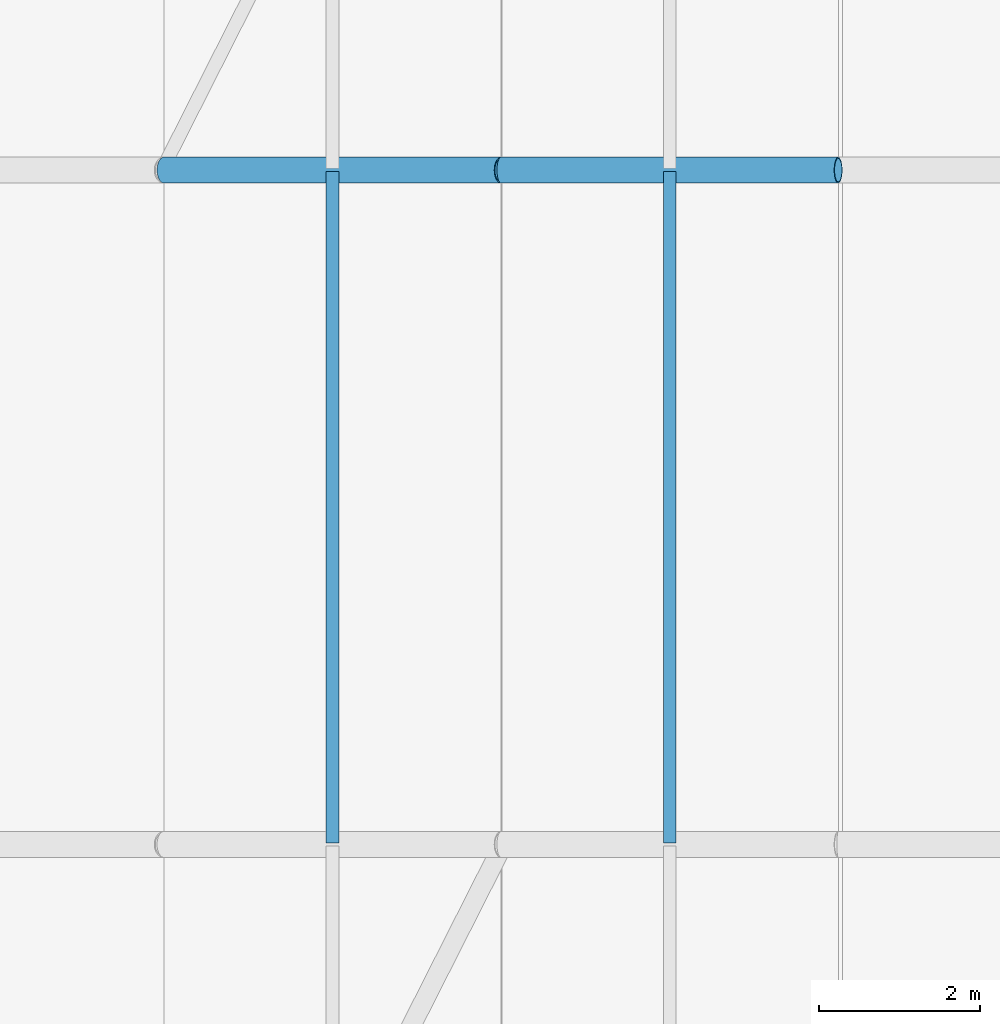
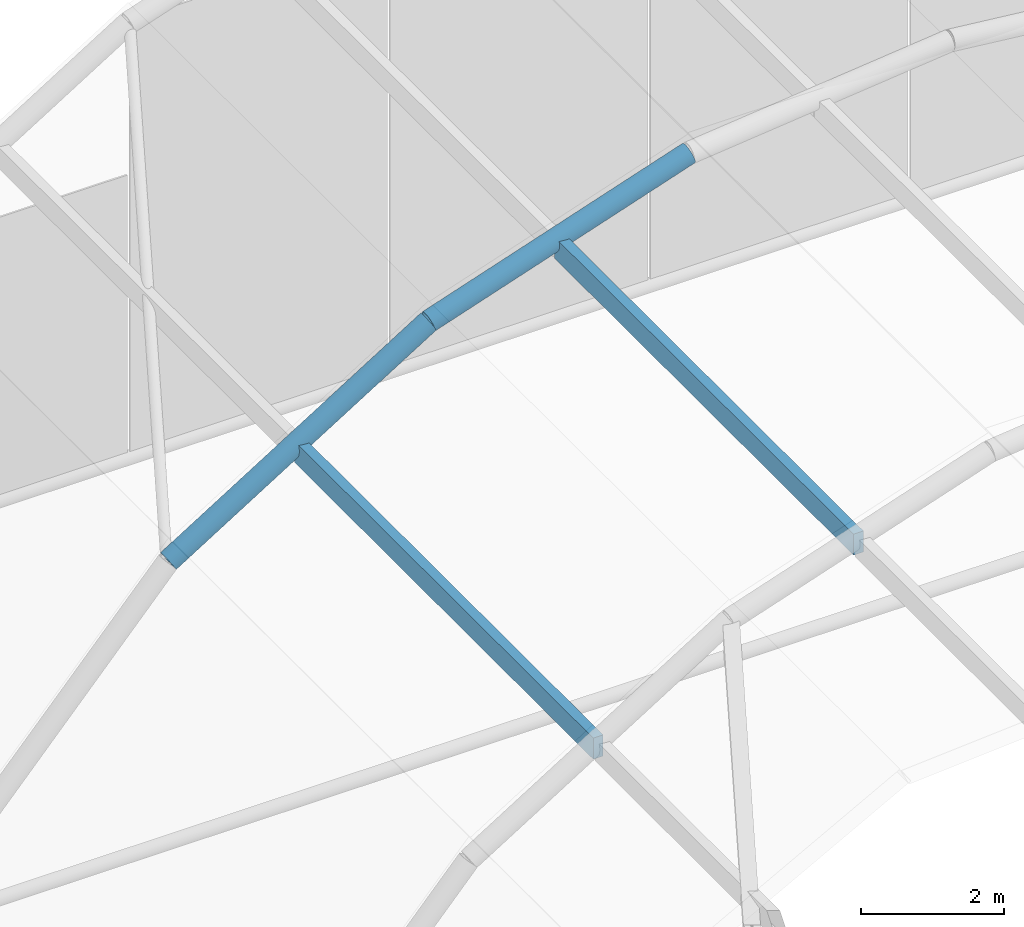
# One storey, part 64 of 114: 2 beams, 2 members.
"""IFC4 building model written with IfcOpenShell, lengths in metres."""

from ifc_helpers import new_model, si_unit, direction, frame, origin, origin_2d, place, context, subcontext, project, spatial, rectangle, hollow_circle, extrude, material, material_profile, profile_set, type_object, element, save


model = new_model("IFC4")

# Units and contexts
model_context = context("Model", 3, precision=1e-05, world=origin(), true_north=direction((0.0, 1.0)))
body_context = subcontext(model_context, "Body", "Model", "MODEL_VIEW")
ifc_project = project(units=[si_unit("LENGTHUNIT", "METRE"), si_unit("AREAUNIT", "SQUARE_METRE"), si_unit("VOLUMEUNIT", "CUBIC_METRE"), si_unit("PLANEANGLEUNIT", "RADIAN"), si_unit("MASSUNIT", "GRAM", prefix="KILO")], contexts=[model_context])

# Site, building, storey
site_placement = place(None, origin())
site = spatial("IfcSite", under=ifc_project, at=site_placement, CompositionType="ELEMENT")
building_placement = place(site_placement, origin())
building = spatial("IfcBuilding", under=site, at=building_placement, Name="Xazarin Passage Department Store", CompositionType="ELEMENT")
storey_placement = place(building_placement, frame((0.0, 0.0, 14.39990234375)))
storey = spatial("IfcBuildingStorey", under=building, at=storey_placement, Name="L03", CompositionType="ELEMENT", Elevation=14.39990234375)

# Beams
ifc_material_1 = material(Name="Steel S355", Category="steel")
ifc_material_profile_1 = material_profile(ifc_material_1, hollow_circle(Radius=0.161865234375, WallThickness=0.01611328125, at=origin_2d()), Name="CHS 323.9x16")
ifc_profile_set_1 = profile_set([ifc_material_profile_1], Name="Steel S355")
beam_type = type_object("IfcBeamType", Name="STR-BM-AR324", PredefinedType="BEAM", material=ifc_profile_set_1)
beam_1_placement = place(storey_placement, frame((72.199951171875, 84.800048828125, 6.33203125), z_axis=(0.848571440894, 0.0, 0.529080815848), x_axis=(0.0, 1.0, 0.0)))
element("IfcBeam", 1, at=beam_1_placement, inside=storey, type_object=beam_type, Name="V2N Primary Arch Rib 5.2", PredefinedType="BEAM", context=body_context, shape_type="SweptSolid", body=[
    extrude(hollow_circle(Radius=0.161865234375, WallThickness=0.01611328125, at=origin_2d()), origin(), (0.0, 0.0, 1.0), 4.949462890625),
])
beam_2_placement = place(storey_placement, frame((76.39990234375, 84.800048828125, 8.95068359375), z_axis=(0.948462545979, 0.0, 0.31688925333), x_axis=(0.0, 1.0, 0.0)))
element("IfcBeam", 2, at=beam_2_placement, inside=storey, type_object=beam_type, Name="V2N Primary Arch Rib 5.3", PredefinedType="BEAM", context=body_context, shape_type="SweptSolid", body=[
    extrude(hollow_circle(Radius=0.161865234375, WallThickness=0.01611328125, at=origin_2d()), origin(), (0.0, 0.0, 1.0), 4.428466796875),
])

# Members
ifc_material_2 = material(Name="Glulam GL28h", Category="wood")
ifc_material_profile_2 = material_profile(ifc_material_2, rectangle(XDim=0.159912109375, YDim=0.360107421875, at=origin_2d()), Name="GL28h 160x360")
ifc_profile_set_2 = profile_set([ifc_material_profile_2], Name="Glulam GL28h")
member_type = type_object("IfcMemberType", Name="STR-MEM-GL360", PredefinedType="PURLIN", material=ifc_profile_set_2)
for number, where, z_axis, x_axis, name in (
    (3, (74.300048828125, 76.419921875, 7.50341796875), (0.0, 1.0, 0.0), (-1.0, 0.0, 0.0), "V2N Glulam Gridshell Purlin 4.2"),
    (4, (78.5, 76.419921875, 9.514404296875), (0.0, 1.0, 0.0), (-1.0, 0.0, 0.0), "V2N Glulam Gridshell Purlin 4.3"),
):
    element("IfcMember", number, at=place(storey_placement, frame(where, z_axis=z_axis, x_axis=x_axis)), inside=storey, type_object=member_type, Name=name, PredefinedType="PURLIN", context=body_context, shape_type="SweptSolid", body=[
        extrude(rectangle(XDim=0.159912109375, YDim=0.360107421875, at=origin_2d()), origin(), (0.0, 0.0, 1.0), 8.360107421875),
    ])

save(model, "model.ifc")
